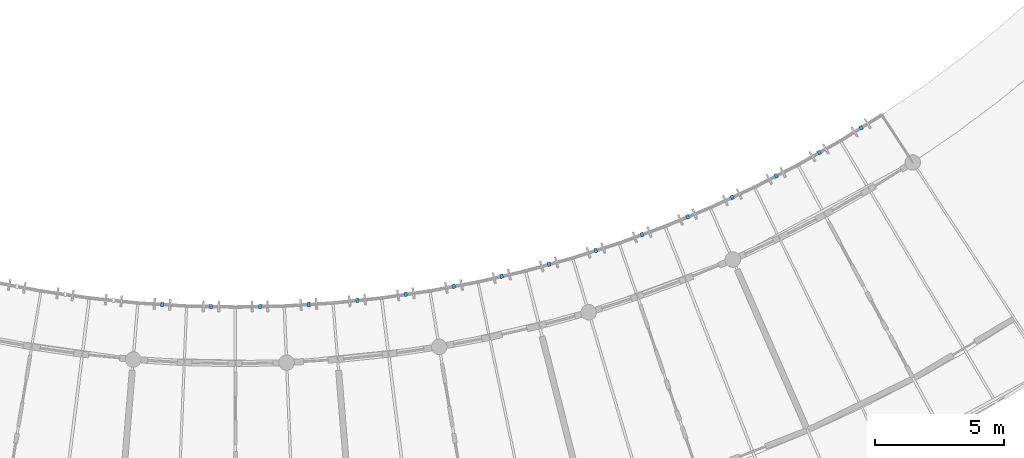
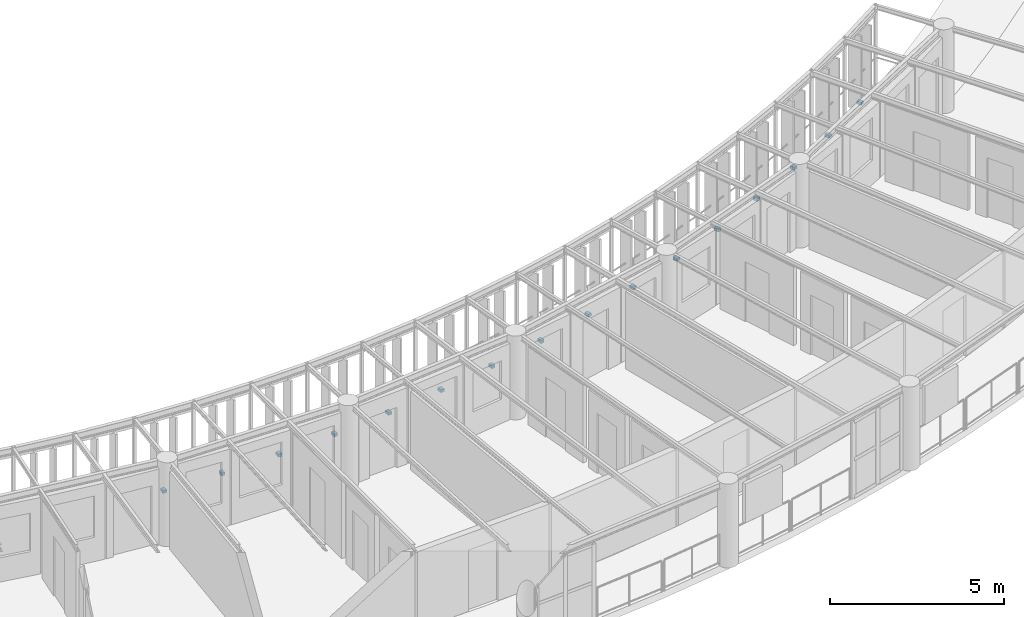
# One storey, part 85 of 101: 16 discrete accessories.
"""IFC4 building model written with IfcOpenShell, lengths in metres."""

from ifc_helpers import new_model, si_unit, direction, frame, origin, origin_2d, place, context, subcontext, project, spatial, rectangle, extrude, material, type_object, element, save


model = new_model("IFC4")

# Units and contexts
model_context = context("Model", 3, precision=1e-05, world=origin(), true_north=direction((0.0, 1.0)))
body_context = subcontext(model_context, "Body", "Model", "MODEL_VIEW")
ifc_project = project(units=[si_unit("LENGTHUNIT", "METRE"), si_unit("AREAUNIT", "SQUARE_METRE"), si_unit("VOLUMEUNIT", "CUBIC_METRE"), si_unit("PLANEANGLEUNIT", "RADIAN"), si_unit("MASSUNIT", "GRAM", prefix="KILO"), si_unit("POWERUNIT", "WATT"), si_unit("THERMODYNAMICTEMPERATUREUNIT", "KELVIN")], contexts=[model_context])

# Site, building, storey
site_placement = place(None, origin())
site = spatial("IfcSite", under=ifc_project, at=site_placement, CompositionType="ELEMENT")
building_placement = place(site_placement, origin())
building = spatial("IfcBuilding", under=site, at=building_placement, Name="Ruvembo Vaulted Housing Court", CompositionType="ELEMENT")
storey_placement = place(building_placement, frame((0.0, 0.0, 17.300048828125)))
storey = spatial("IfcBuildingStorey", under=building, at=storey_placement, Name="L05", CompositionType="ELEMENT", Elevation=17.300048828125)

# Discrete accessories
ifc_material = material(Name="Stainless Steel Grade 316", Category="steel")
discrete_accessory_type = type_object("IfcDiscreteAccessoryType", Name="ACC-BRACKET-SS", PredefinedType="BRACKET", material=ifc_material)
for number, where, z_axis, x_axis, name in (
    (1, (66.168212890625, 16.29736328125, 0.02978515625), (0.0, 0.0, 1.0), (-0.061832453863, -0.998086543166, 0.0), "Stainless Louvre Rail Bracket #220"),
    (2, (68.055419921875, 16.219482421875, 0.02978515625), (0.0, 0.0, 1.0), (-0.020645778066, -0.999786853208, 0.0), "Stainless Louvre Rail Bracket #221"),
    (3, (69.944580078125, 16.219482421875, 0.02978515625), (0.0, 0.0, 1.0), (0.020645778066, -0.999786853208, 0.0), "Stainless Louvre Rail Bracket #222"),
    (4, (71.831787109375, 16.29736328125, 0.02978515625), (0.0, 0.0, 1.0), (0.061832453863, -0.998086543166, 0.0), "Stainless Louvre Rail Bracket #223"),
    (5, (73.714111328125, 16.452880859375, 0.02978515625), (0.0, 0.0, 1.0), (0.102948783072, -0.994686658232, 0.0), "Stainless Louvre Rail Bracket #224"),
    (6, (75.58837890625, 16.686279296875, 0.02978515625), (0.0, 0.0, 1.0), (0.143872610257, -0.989596216655, 0.0), "Stainless Louvre Rail Bracket #225"),
    (7, (77.45166015625, 16.996337890625, 0.02978515625), (0.0, 0.0, 1.0), (0.184568910756, -0.982819575091, 0.0), "Stainless Louvre Rail Bracket #226"),
    (8, (79.300537109375, 17.38330078125, 0.02978515625), (0.0, 0.0, 1.0), (0.224951054344, -0.974370064785, 0.0), "Stainless Louvre Rail Bracket #227"),
    (9, (81.1318359375, 17.84619140625, 0.02978515625), (0.0, 0.0, 1.0), (0.264983965035, -0.96425281865, 0.0), "Stainless Louvre Rail Bracket #228"),
    (10, (82.9423828125, 18.384033203125, 0.02978515625), (0.0, 0.0, 1.0), (0.304448708958, -0.952528731122, 0.0), "Stainless Louvre Rail Bracket #229"),
    (11, (84.7294921875, 18.99609375, 0.02978515625), (0.0, 0.0, 1.0), (0.343512177766, -0.939148222447, 0.0), "Stainless Louvre Rail Bracket #230"),
    (12, (86.489501953125, 19.681396484375, 0.02978515625), (0.0, 0.0, 1.0), (0.381957701122, -0.924179806398, 0.0), "Stainless Louvre Rail Bracket #231"),
    (13, (88.219970703125, 20.438720703125, 0.02978515625), (0.0, 0.0, 1.0), (0.419737248448, -0.90764565898, 0.0), "Stainless Louvre Rail Bracket #232"),
    (14, (89.917724609375, 21.266845703125, 0.02978515625), (0.0, 0.0, 1.0), (0.456849537333, -0.889543984432, 0.0), "Stainless Louvre Rail Bracket #233"),
    (15, (91.579833984375, 22.1640625, 0.02978515625), (0.0, 0.0, 1.0), (0.493106983922, -0.86996867898, 0.0), "Stainless Louvre Rail Bracket #234"),
    (16, (93.20361328125, 23.129150390625, 0.02978515625), (0.0, 0.0, 1.0), (0.528556868381, -0.848897895443, 0.0), "Stainless Louvre Rail Bracket #235"),
):
    element("IfcDiscreteAccessory", number, at=place(storey_placement, frame(where, z_axis=z_axis, x_axis=x_axis)), inside=storey, type_object=discrete_accessory_type, Name=name, PredefinedType="BRACKET", context=body_context, shape_type="SweptSolid", body=[
        extrude(rectangle(XDim=0.159912109375, YDim=0.1201171875, at=origin_2d()), origin(), (0.0, 0.0, 1.0), 0.10009765625),
    ])

save(model, "model.ifc")
